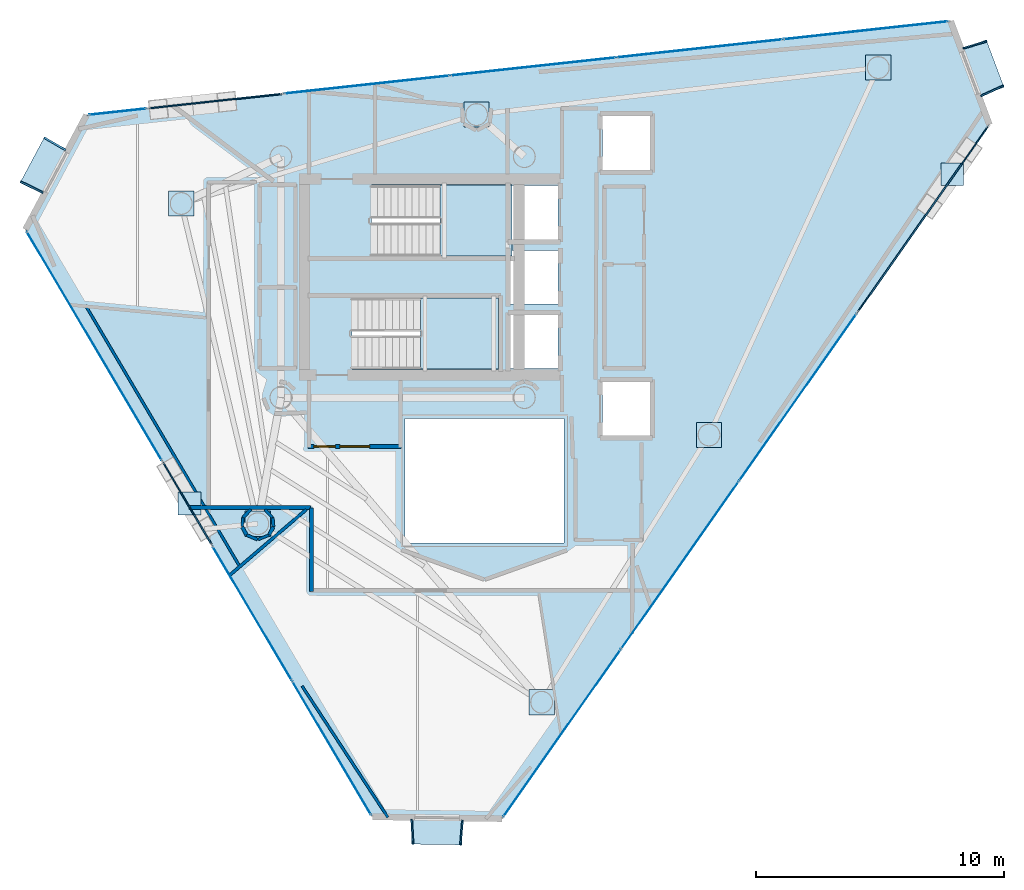
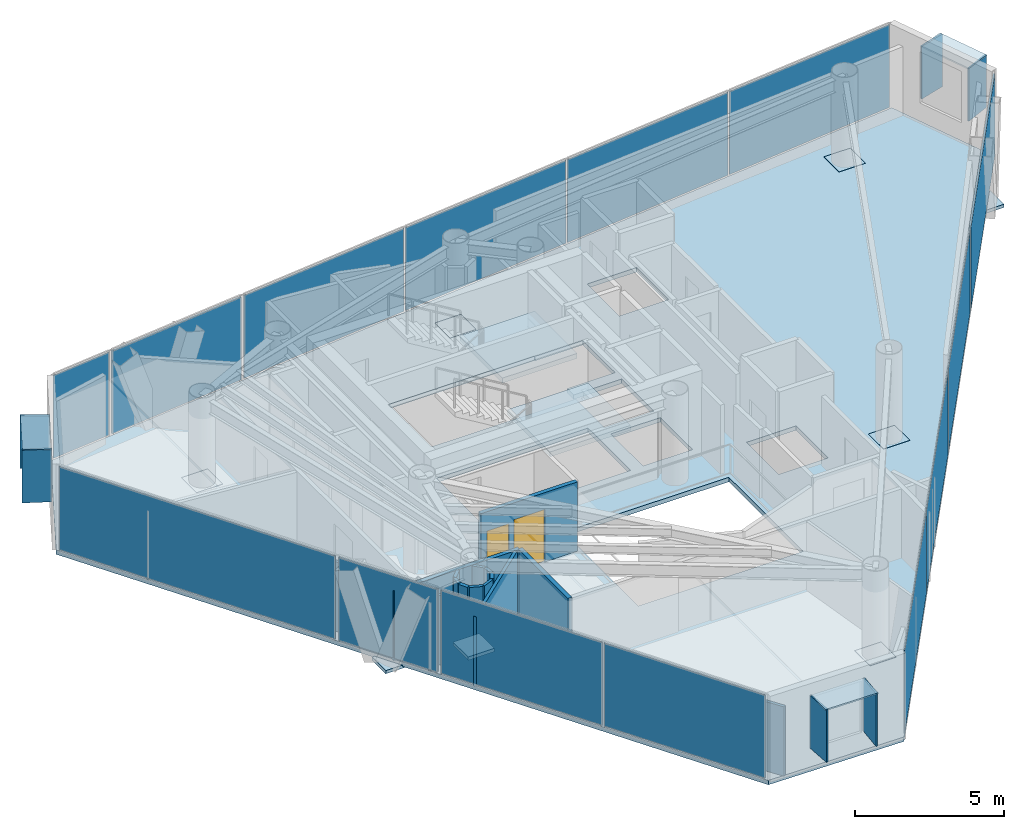
# One storey, part 14 of 19: 31 plates, 14 walls, 3 slabs, 2 doors, 2 openings, 10 elements without a shape of their own.
"""IFC4 building model written with IfcOpenShell, lengths in metres."""

from ifc_helpers import new_model, si_unit, direction, frame, frame_2d, origin, origin_2d, place, context, subcontext, project, spatial, polyline, rectangle, outline, extrude, material, layer, layer_set, type_object, element, fill, aggregate, save


model = new_model("IFC4")

# Units and contexts
model_context = context("Model", 3, precision=1e-05, world=origin(), true_north=direction((0.0, 1.0)))
body_context = subcontext(model_context, "Body", "Model", "MODEL_VIEW")
ifc_project = project(units=[si_unit("LENGTHUNIT", "METRE"), si_unit("AREAUNIT", "SQUARE_METRE"), si_unit("VOLUMEUNIT", "CUBIC_METRE"), si_unit("PLANEANGLEUNIT", "RADIAN"), si_unit("MASSUNIT", "GRAM", prefix="KILO")], contexts=[model_context])

# Site, building, storey
site_placement = place(None, origin())
site = spatial("IfcSite", under=ifc_project, at=site_placement, CompositionType="ELEMENT")
building_placement = place(site_placement, origin())
building = spatial("IfcBuilding", under=site, at=building_placement, Name="Qianvela Tower", CompositionType="ELEMENT")
storey_placement = place(building_placement, frame((0.0, 0.0, 280.60009765625)))
storey = spatial("IfcBuildingStorey", under=building, at=storey_placement, Name="L72", CompositionType="ELEMENT", Elevation=280.60009765625)

# Curtain wall, plate
ifc_material_1 = material(Name="Anodised Architectural Aluminium and Insulated Spandrel Panel", Category="aluminium")
ifc_layer_1 = layer(ifc_material_1, 0.179931640625)
ifc_layer_set_1 = layer_set([ifc_layer_1], Name="Anodised Architectural Aluminium and Insulated Spandrel Panel")
curtain_wall_type_1 = type_object("IfcCurtainWallType", Name="CW-BRACEBAY", PredefinedType="USERDEFINED", material=ifc_layer_set_1)
curtain_wall_1_placement = place(storey_placement, origin())
curtain_wall_1 = element("IfcCurtainWall", 1, at=curtain_wall_1_placement, inside=storey, type_object=curtain_wall_type_1, Name="L72 CW-BRACEBAY Curtain Wall 02B", ObjectType="CURTAIN_WALL_SYSTEM", PredefinedType="USERDEFINED")
ifc_material_2 = material(Name="Insulated Aluminium Spandrel Panel with Mineral-Wool Backpan", Category="aluminium")
ifc_layer_2 = layer(ifc_material_2, 0.06005859375)
ifc_layer_set_2 = layer_set([ifc_layer_2], Name="Insulated Aluminium Spandrel Panel with Mineral-Wool Backpan")
plate_type_1 = type_object("IfcPlateType", Name="CW-BRACEBAY-PNL", PredefinedType="CURTAIN_PANEL", material=ifc_layer_set_2)
plate_1_placement = place(storey_placement, frame((25.962646484375, 35.78564453125, 0.06494140625), z_axis=(0.0, 0.0, 1.0), x_axis=(-0.994137157561, -0.108126370314, 0.0)))
plate_1 = element("IfcPlate", 2, at=plate_1_placement, type_object=plate_type_1, Name="CW-9 panel 1.1", PredefinedType="CURTAIN_PANEL", context=body_context, shape_type="SweptSolid", body=[
    extrude(rectangle(XDim=5.3701171875, YDim=0.06005859375, at=origin_2d()), origin(), (0.0, 0.0, 1.0), 3.389892578125),
])
aggregate(curtain_wall_1, [plate_1])

curtain_wall_2_placement = place(storey_placement, origin())
curtain_wall_2 = element("IfcCurtainWall", 3, at=curtain_wall_2_placement, inside=storey, type_object=curtain_wall_type_1, Name="L72 CW-BRACEBAY Curtain Wall 04B", ObjectType="CURTAIN_WALL_SYSTEM", PredefinedType="USERDEFINED")
plate_2_placement = place(storey_placement, frame((24.832763671875, 19.58984375, 0.06494140625), z_axis=(0.0, 0.0, 1.0), x_axis=(0.5084554966, -0.861088269562, 0.0)))
plate_2 = element("IfcPlate", 4, at=plate_2_placement, type_object=plate_type_1, Name="CW-9 panel 1.1", PredefinedType="CURTAIN_PANEL", context=body_context, shape_type="SweptSolid", body=[
    extrude(rectangle(XDim=3.820068359375, YDim=0.06005859375, at=origin_2d()), origin(), (0.0, 0.0, 1.0), 3.389892578125),
])
aggregate(curtain_wall_2, [plate_2])

curtain_wall_3_placement = place(storey_placement, origin())
curtain_wall_3 = element("IfcCurtainWall", 5, at=curtain_wall_3_placement, inside=storey, type_object=curtain_wall_type_1, Name="L72 CW-BRACEBAY Curtain Wall 06B", ObjectType="CURTAIN_WALL_SYSTEM", PredefinedType="USERDEFINED")
plate_3_placement = place(storey_placement, frame((54.445068359375, 31.028076171875, 0.06494140625), z_axis=(0.0, 0.0, 1.0), x_axis=(0.574826220161, 0.81827551388, 0.0)))
plate_3 = element("IfcPlate", 6, at=plate_3_placement, type_object=plate_type_1, Name="CW-9 panel 1.1", PredefinedType="CURTAIN_PANEL", context=body_context, shape_type="SweptSolid", body=[
    extrude(rectangle(XDim=9.076416015625, YDim=0.06005859375, at=origin_2d()), origin(), (0.0, 0.0, 1.0), 3.389892578125),
])
aggregate(curtain_wall_3, [plate_3])

# Curtain wall, plates
ifc_material_3 = material(Name="Anodised Architectural Aluminium and Low-E Glass", Category="aluminium")
ifc_layer_3 = layer(ifc_material_3, 0.14990234375)
ifc_layer_set_3 = layer_set([ifc_layer_3], Name="Anodised Architectural Aluminium and Low-E Glass")
curtain_wall_type_2 = type_object("IfcCurtainWallType", Name="CW-COLIV-Z78", PredefinedType="USERDEFINED", material=ifc_layer_set_3)
curtain_wall_4_placement = place(storey_placement, origin())
curtain_wall_4 = element("IfcCurtainWall", 7, at=curtain_wall_4_placement, inside=storey, type_object=curtain_wall_type_2, Name="L72 CW-COLIV-Z78 Curtain Wall 02A", ObjectType="CURTAIN_WALL_SYSTEM", PredefinedType="USERDEFINED")
ifc_material_4 = material(Name="Double-Silver Low-E Insulated Glass", Category="glass")
ifc_layer_4 = layer(ifc_material_4, 0.02587890625)
ifc_layer_set_4 = layer_set([ifc_layer_4], Name="Double-Silver Low-E Insulated Glass")
plate_type_2 = type_object("IfcPlateType", Name="CW-COLIV-Z78-PNL", PredefinedType="CURTAIN_PANEL", material=ifc_layer_set_4)
plate_4_placement = place(storey_placement, frame((52.14208984375, 38.6328125, 0.06005859375), z_axis=(0.0, 0.0, 1.0), x_axis=(-0.994137836996, -0.108120123252, 0.0)))
plate_4 = element("IfcPlate", 8, at=plate_4_placement, type_object=plate_type_2, Name="CW-6 panel 1.1", PredefinedType="CURTAIN_PANEL", context=body_context, shape_type="SweptSolid", body=[
    extrude(rectangle(XDim=6.652587890625, YDim=0.02587890625, at=origin_2d()), origin(), (0.0, 0.0, 1.0), 3.39990234375),
])
plate_5_placement = place(storey_placement, frame((45.4541015625, 37.905517578125, 0.06005859375), z_axis=(0.0, 0.0, 1.0), x_axis=(-0.994137836996, -0.108120123252, 0.0)))
plate_5 = element("IfcPlate", 9, at=plate_5_placement, type_object=plate_type_2, Name="CW-6 panel 2.1", PredefinedType="CURTAIN_PANEL", context=body_context, shape_type="SweptSolid", body=[
    extrude(rectangle(XDim=6.6826171875, YDim=0.02587890625, at=origin_2d()), origin(), (0.0, 0.0, 1.0), 3.39990234375),
])
plate_6_placement = place(storey_placement, frame((38.7509765625, 37.176513671875, 0.06005859375), z_axis=(0.0, 0.0, 1.0), x_axis=(-0.994137836996, -0.108120123252, 0.0)))
plate_6 = element("IfcPlate", 10, at=plate_6_placement, type_object=plate_type_2, Name="CW-6 panel 3.1", PredefinedType="CURTAIN_PANEL", context=body_context, shape_type="SweptSolid", body=[
    extrude(rectangle(XDim=6.6826171875, YDim=0.02587890625, at=origin_2d()), origin(), (0.0, 0.0, 1.0), 3.39990234375),
])
plate_7_placement = place(storey_placement, frame((32.06298828125, 36.448974609375, 0.06005859375), z_axis=(0.0, 0.0, 1.0), x_axis=(-0.994137836996, -0.108120123252, 0.0)))
plate_7 = element("IfcPlate", 11, at=plate_7_placement, type_object=plate_type_2, Name="CW-6 panel 4.1", PredefinedType="CURTAIN_PANEL", context=body_context, shape_type="SweptSolid", body=[
    extrude(rectangle(XDim=6.652587890625, YDim=0.02587890625, at=origin_2d()), origin(), (0.0, 0.0, 1.0), 3.39990234375),
])
aggregate(curtain_wall_4, [plate_4, plate_5, plate_6, plate_7])

# Curtain wall, plate
curtain_wall_5_placement = place(storey_placement, origin())
curtain_wall_5 = element("IfcCurtainWall", 12, at=curtain_wall_5_placement, inside=storey, type_object=curtain_wall_type_2, Name="L72 CW-COLIV-Z78 Curtain Wall 02C", ObjectType="CURTAIN_WALL_SYSTEM", PredefinedType="USERDEFINED")
plate_8_placement = place(storey_placement, frame((22.027587890625, 35.357666015625, 0.06005859375), z_axis=(0.0, 0.0, 1.0), x_axis=(-0.994137890292, -0.108119633209, 0.0)))
plate_8 = element("IfcPlate", 13, at=plate_8_placement, type_object=plate_type_2, Name="CW-6 panel 1.1", PredefinedType="CURTAIN_PANEL", context=body_context, shape_type="SweptSolid", body=[
    extrude(rectangle(XDim=2.296875, YDim=0.02587890625, at=origin_2d()), origin(), (0.0, 0.0, 1.0), 3.39990234375),
])
aggregate(curtain_wall_5, [plate_8])

curtain_wall_6_placement = place(storey_placement, origin())
curtain_wall_6 = element("IfcCurtainWall", 14, at=curtain_wall_6_placement, inside=storey, type_object=curtain_wall_type_2, Name="L72 CW-COLIV-Z78 Curtain Wall 04A", ObjectType="CURTAIN_WALL_SYSTEM", PredefinedType="USERDEFINED")
plate_9_placement = place(storey_placement, frame((21.087890625, 25.931640625, 0.06005859375), z_axis=(0.0, 0.0, 1.0), x_axis=(0.508442381516, -0.861096013624, 0.0)))
plate_9 = element("IfcPlate", 15, at=plate_9_placement, type_object=plate_type_2, Name="CW-6 panel 1.1", PredefinedType="CURTAIN_PANEL", context=body_context, shape_type="SweptSolid", body=[
    extrude(rectangle(XDim=10.659912109375, YDim=0.02587890625, at=origin_2d()), origin(), (0.0, 0.0, 1.0), 3.39990234375),
])
aggregate(curtain_wall_6, [plate_9])

# Curtain wall, plates
curtain_wall_7_placement = place(storey_placement, origin())
curtain_wall_7 = element("IfcCurtainWall", 16, at=curtain_wall_7_placement, inside=storey, type_object=curtain_wall_type_2, Name="L72 CW-COLIV-Z78 Curtain Wall 04C", ObjectType="CURTAIN_WALL_SYSTEM", PredefinedType="USERDEFINED")
plate_10_placement = place(storey_placement, frame((27.44873046875, 15.1591796875, 0.06005859375), z_axis=(0.0, 0.0, 1.0), x_axis=(0.508440460829, -0.861097147709, 0.0)))
plate_10 = element("IfcPlate", 17, at=plate_10_placement, type_object=plate_type_2, Name="CW-6 panel 1.1", PredefinedType="CURTAIN_PANEL", context=body_context, shape_type="SweptSolid", body=[
    extrude(rectangle(XDim=6.220703125, YDim=0.02587890625, at=origin_2d()), origin(), (0.0, 0.0, 1.0), 3.39990234375),
])
plate_11_placement = place(storey_placement, frame((30.64208984375, 9.7509765625, 0.06005859375), z_axis=(0.0, 0.0, 1.0), x_axis=(0.508440460829, -0.861097147709, 0.0)))
plate_11 = element("IfcPlate", 18, at=plate_11_placement, type_object=plate_type_2, Name="CW-6 panel 2.1", PredefinedType="CURTAIN_PANEL", context=body_context, shape_type="SweptSolid", body=[
    extrude(rectangle(XDim=6.220703125, YDim=0.02587890625, at=origin_2d()), origin(), (0.0, 0.0, 1.0), 3.39990234375),
])
aggregate(curtain_wall_7, [plate_10, plate_11])

curtain_wall_8_placement = place(storey_placement, origin())
curtain_wall_8 = element("IfcCurtainWall", 19, at=curtain_wall_8_placement, inside=storey, type_object=curtain_wall_type_2, Name="L72 CW-COLIV-Z78 Curtain Wall 06A", ObjectType="CURTAIN_WALL_SYSTEM", PredefinedType="USERDEFINED")
plate_12_placement = place(storey_placement, frame((39.913818359375, 10.342041015625, 0.06005859375), z_axis=(0.0, 0.0, 1.0), x_axis=(0.574820324344, 0.818279655571, 0.0)))
plate_12 = element("IfcPlate", 20, at=plate_12_placement, type_object=plate_type_2, Name="CW-6 panel 1.1", PredefinedType="CURTAIN_PANEL", context=body_context, shape_type="SweptSolid", body=[
    extrude(rectangle(XDim=8.186767578125, YDim=0.02587890625, at=origin_2d()), origin(), (0.0, 0.0, 1.0), 3.39990234375),
])
plate_13_placement = place(storey_placement, frame((44.66259765625, 17.102294921875, 0.06005859375), z_axis=(0.0, 0.0, 1.0), x_axis=(0.574820324344, 0.818279655571, 0.0)))
plate_13 = element("IfcPlate", 21, at=plate_13_placement, type_object=plate_type_2, Name="CW-6 panel 2.1", PredefinedType="CURTAIN_PANEL", context=body_context, shape_type="SweptSolid", body=[
    extrude(rectangle(XDim=8.216552734375, YDim=0.02587890625, at=origin_2d()), origin(), (0.0, 0.0, 1.0), 3.39990234375),
])
plate_14_placement = place(storey_placement, frame((49.41162109375, 23.86279296875, 0.06005859375), z_axis=(0.0, 0.0, 1.0), x_axis=(0.574820324344, 0.818279655571, 0.0)))
plate_14 = element("IfcPlate", 22, at=plate_14_placement, type_object=plate_type_2, Name="CW-6 panel 3.1", PredefinedType="CURTAIN_PANEL", context=body_context, shape_type="SweptSolid", body=[
    extrude(rectangle(XDim=8.186767578125, YDim=0.02587890625, at=origin_2d()), origin(), (0.0, 0.0, 1.0), 3.39990234375),
])
aggregate(curtain_wall_8, [plate_12, plate_13, plate_14])

# Plates
ifc_material_5 = material(Name="Steel Q420GJC", Category="steel")
ifc_layer_5 = layer(ifc_material_5, 0.1298828125)
ifc_layer_set_5 = layer_set([ifc_layer_5], Name="Steel Q420GJC")
plate_type_3 = type_object("IfcPlateType", Name="PT-ENDCAP-130", PredefinedType="USERDEFINED", material=ifc_layer_set_5)
for number, where, z_axis, x_axis, name in (
    (23, (24.927001953125, 19.58740234375, -0.26171875), (0.0, 0.0, 1.0), (1.0, 0.0, 0.0), "L72 Hollow Section End Cap Plate A"),
    (24, (55.622802734375, 32.843505859375, -0.26171875), (0.0, 0.0, 1.0), (1.0, 0.0, 0.0), "L72 Hollow Section End Cap Plate A"),
):
    element("IfcPlate", number, at=place(storey_placement, frame(where, z_axis=z_axis, x_axis=x_axis)), inside=storey, type_object=plate_type_3, Name=name, ObjectType="END_CAP", PredefinedType="USERDEFINED", context=body_context, shape_type="SweptSolid", body=[
        extrude(rectangle(XDim=0.919921875, YDim=0.919921875, at=origin_2d()), origin(), (0.0, 0.0, 1.0), 0.1298828125),
    ])
ifc_material_6 = material(Name="Steel Q420GJC", Category="steel")
ifc_layer_6 = layer(ifc_material_6, 0.139892578125)
ifc_layer_set_6 = layer_set([ifc_layer_6], Name="Steel Q420GJC")
plate_type_4 = type_object("IfcPlateType", Name="PT-GUSSET-NODE-140", PredefinedType="USERDEFINED", material=ifc_layer_set_6)
for number, where, z_axis, x_axis, name in (
    (25, (52.64794921875, 37.135009765625, -0.13525390625), (0.0, 0.0, 1.0), (1.0, 0.0, 0.0), "L72 Node Gusset Plate BOT"),
    (26, (36.47607421875, 35.242919921875, -0.13525390625), (0.0, 0.0, 1.0), (1.0, 0.0, 0.0), "L72 Node Gusset Plate BOT"),
    (27, (24.5869140625, 31.6630859375, -0.13525390625), (0.0, 0.0, 1.0), (1.0, 0.0, 0.0), "L72 Node Gusset Plate BOT"),
    (28, (27.669921875, 18.77392578125, -0.13525390625), (0.0, 0.0, 1.0), (1.0, 0.0, 0.0), "L72 Node Gusset Plate BOT"),
    (29, (39.095947265625, 11.587890625, -0.13525390625), (0.0, 0.0, 1.0), (1.0, 0.0, 0.0), "L72 Node Gusset Plate BOT"),
    (30, (45.833984375, 22.344970703125, -0.13525390625), (0.0, 0.0, 1.0), (1.0, 0.0, 0.0), "L72 Node Gusset Plate BOT"),
):
    element("IfcPlate", number, at=place(storey_placement, frame(where, z_axis=z_axis, x_axis=x_axis)), inside=storey, type_object=plate_type_4, Name=name, ObjectType="GUSSET_PLATE", PredefinedType="USERDEFINED", context=body_context, shape_type="SweptSolid", body=[
        extrude(rectangle(XDim=1.02001953125, YDim=1.02001953125, at=origin_2d()), origin(), (0.0, 0.0, 1.0), 0.139892578125),
    ])

# Slab
ifc_material_7 = material(Name="Concrete C40", Category="concrete")
ifc_layer_7 = layer(ifc_material_7, 0.179931640625)
ifc_layer_set_7 = layer_set([ifc_layer_7], Name="Concrete C40")
slab_type_1 = type_object("IfcSlabType", Name="SL-FLOOR-180", PredefinedType="FLOOR", material=ifc_layer_set_7)
slab_1_placement = place(storey_placement, frame((0.0, 0.0, -0.18017578125)))
element("IfcSlab", 31, at=slab_1_placement, inside=storey, type_object=slab_type_1, Name="L72 Composite Structural Floor Slab", PredefinedType="FLOOR", context=body_context, shape_type="SweptSolid", body=[
    extrude(outline(polyline([(57.119873046875, 34.835693359375), (55.55810546875, 39.00439453125), (20.776611328125, 35.221435546875), (18.322021484375, 30.6162109375), (32.279541015625, 6.977783203125), (37.49755859375, 6.902587890625), (57.119873046875, 34.835693359375)]), holes=[polyline([(40.0, 23.0), (33.60009765625, 23.0), (33.60009765625, 18.0), (40.0, 18.0), (40.0, 23.0)]), polyline([(43.4599609375, 24.47998046875), (41.5400390625, 24.47998046875), (41.5400390625, 22.320068359375), (43.4599609375, 22.320068359375), (43.4599609375, 24.47998046875)]), polyline([(39.760009765625, 27.179931640625), (37.840087890625, 27.179931640625), (37.840087890625, 25.02001953125), (39.760009765625, 25.02001953125), (39.760009765625, 27.179931640625)]), polyline([(37.35009765625, 27.860107421875), (31.469970703125, 27.860107421875), (31.469970703125, 25.0), (37.35009765625, 25.0), (37.35009765625, 27.860107421875)]), polyline([(39.760009765625, 27.6201171875), (39.760009765625, 29.780029296875), (37.89990234375, 29.780029296875), (37.89990234375, 30.219970703125), (39.760009765625, 30.219970703125), (39.760009765625, 32.3798828125), (37.89990234375, 32.3798828125), (37.89990234375, 32.39990234375), (32.25, 32.39990234375), (32.25, 29.5400390625), (37.840087890625, 29.5400390625), (37.840087890625, 27.6201171875), (39.760009765625, 27.6201171875)]), polyline([(43.4599609375, 35.179931640625), (41.5400390625, 35.179931640625), (41.5400390625, 33.02001953125), (43.4599609375, 33.02001953125), (43.4599609375, 35.179931640625)])]), origin(), (0.0, 0.0, 1.0), 0.18017578125),
])

# Stair, slab
ifc_material_8 = material(Name="Concrete C40", Category="concrete")
stair_type = type_object("IfcStairType", Name="ST-DOGLEG-1350-R168-N22", PredefinedType="HALF_TURN_STAIR", material=ifc_material_8)
stair_1_placement = place(storey_placement, origin())
stair_1 = element("IfcStair", 32, at=stair_1_placement, inside=storey, type_object=stair_type, Name="L72 Smoke-Proof Core Stair ST-1", PredefinedType="HALF_TURN_STAIR")
ifc_material_9 = material(Name="Concrete C40", Category="concrete")
ifc_layer_8 = layer(ifc_material_9, 0.199951171875)
ifc_layer_set_8 = layer_set([ifc_layer_8], Name="Concrete C40")
slab_type_2 = type_object("IfcSlabType", Name="SL-STAIR-LANDING-200", PredefinedType="LANDING", material=ifc_layer_set_8)
slab_2_placement = place(storey_placement, frame((0.0, 0.0, 1.64990234375)))
slab_2 = element("IfcSlab", 33, at=slab_2_placement, type_object=slab_type_2, Name="ST-1 landing 1", PredefinedType="LANDING", context=body_context, shape_type="SweptSolid", body=[
    extrude(outline(polyline([(35.0, 29.5400390625), (37.89990234375, 29.5400390625), (37.89990234375, 32.39990234375), (35.0, 32.39990234375), (35.0, 29.5400390625)])), origin(), (0.0, 0.0, 1.0), 0.199951171875),
])
aggregate(stair_1, [slab_2])

stair_2_placement = place(storey_placement, origin())
stair_2 = element("IfcStair", 34, at=stair_2_placement, inside=storey, type_object=stair_type, Name="L72 Smoke-Proof Core Stair ST-2", PredefinedType="HALF_TURN_STAIR")
slab_3_placement = place(storey_placement, frame((0.0, 0.0, 1.64990234375)))
slab_3 = element("IfcSlab", 35, at=slab_3_placement, type_object=slab_type_2, Name="ST-2 landing 1", PredefinedType="LANDING", context=body_context, shape_type="SweptSolid", body=[
    extrude(outline(polyline([(34.219970703125, 25.0), (37.35009765625, 25.0), (37.35009765625, 27.860107421875), (34.219970703125, 27.860107421875), (34.219970703125, 25.0)])), origin(), (0.0, 0.0, 1.0), 0.199951171875),
])
aggregate(stair_2, [slab_3])

# Plates
ifc_material_10 = material(Name="Vitrified Architectural Terracotta Panel", Category="masonry")
ifc_layer_9 = layer(ifc_material_10, 0.06005859375)
ifc_layer_set_9 = layer_set([ifc_layer_9], Name="Vitrified Architectural Terracotta Panel")
plate_type_5 = type_object("IfcPlateType", Name="TERRACOTTA-SUNSHADE-HOOD-FOLD-A", PredefinedType="USERDEFINED", material=ifc_layer_set_9)
for number, where, z_axis, x_axis, name in (
    (36, (56.886962890625, 37.125244140625, 2.9599609375), (0.0, 0.0, 1.0), (-0.350815453513, 0.936444615328, 0.0), "L72 Terracotta Sunshade Hood FOLD-A"),
    (37, (34.880126953125, 6.355224609375, 2.9599609375), (0.0, 0.0, 1.0), (0.999895883841, -0.01442988144, 0.0), "L72 Terracotta Sunshade Hood FOLD-A"),
):
    element("IfcPlate", number, at=place(storey_placement, frame(where, z_axis=z_axis, x_axis=x_axis)), inside=storey, type_object=plate_type_5, Name=name, ObjectType="SUNSHADE", PredefinedType="USERDEFINED", context=body_context, shape_type="SweptSolid", body=[
        extrude(rectangle(XDim=2.0400390625, YDim=0.989990234375, at=origin_2d()), origin(), (0.0, 0.0, 1.0), 0.06005859375),
    ])
ifc_material_11 = material(Name="Vitrified Architectural Terracotta Panel", Category="masonry")
ifc_layer_10 = layer(ifc_material_11, 0.070068359375)
ifc_layer_set_10 = layer_set([ifc_layer_10], Name="Vitrified Architectural Terracotta Panel")
plate_type_6 = type_object("IfcPlateType", Name="TERRACOTTA-SUNSHADE-HOOD-FOLD-C", PredefinedType="USERDEFINED", material=ifc_layer_set_10)
plate_15_placement = place(storey_placement, frame((19.032958984375, 33.19384765625, 2.9599609375), z_axis=(0.0, 0.0, 1.0), x_axis=(-0.470317374951, -0.882497346636, 0.0)))
element("IfcPlate", 38, at=plate_15_placement, inside=storey, type_object=plate_type_6, Name="L72 Terracotta Sunshade Hood FOLD-C", ObjectType="SUNSHADE", PredefinedType="USERDEFINED", context=body_context, shape_type="SweptSolid", body=[
    extrude(rectangle(XDim=2.0400390625, YDim=0.989990234375, at=origin_2d()), origin(), (0.0, 0.0, 1.0), 0.06005859375),
])
ifc_material_12 = material(Name="Vitrified Architectural Terracotta Side Fin Panel", Category="masonry")
ifc_layer_11 = layer(ifc_material_12, 0.06494140625)
ifc_layer_set_11 = layer_set([ifc_layer_11], Name="Vitrified Architectural Terracotta Side Fin Panel")
plate_type_7 = type_object("IfcPlateType", Name="TERRACOTTA-SUNSHADE-STRUT-FOLD-A", PredefinedType="USERDEFINED", material=ifc_layer_set_11)
for number, where, z_axis, x_axis, name in (
    (39, (57.234130859375, 36.197998046875, 0.85009765625), (0.0, 0.0, 1.0), (-0.415283958922, 0.909691834338, 0.0), "L72 Terracotta Sunshade Side Fin HL FOLD-A"),
    (40, (56.53955078125, 38.05224609375, 0.85009765625), (0.0, 0.0, 1.0), (-0.284637810479, 0.958635132282, 0.0), "L72 Terracotta Sunshade Side Fin HR FOLD-A"),
    (41, (33.89013671875, 6.369384765625, 0.85009765625), (0.0, 0.0, 1.0), (0.998466765368, 0.055354479994, 0.0), "L72 Terracotta Sunshade Side Fin HL FOLD-A"),
    (42, (35.8701171875, 6.3408203125, 0.85009765625), (0.0, 0.0, 1.0), (0.996453610076, -0.084143941942, 0.0), "L72 Terracotta Sunshade Side Fin HR FOLD-A"),
):
    element("IfcPlate", number, at=place(storey_placement, frame(where, z_axis=z_axis, x_axis=x_axis)), inside=storey, type_object=plate_type_7, Name=name, ObjectType="SUNSHADE", PredefinedType="USERDEFINED", context=body_context, shape_type="SweptSolid", body=[
        extrude(rectangle(XDim=0.06494140625, YDim=1.010009765625, at=origin_2d()), origin(), (0.0, 0.0, 1.0), 2.159912109375),
    ])
ifc_material_13 = material(Name="Vitrified Architectural Terracotta Side Fin Panel", Category="masonry")
ifc_layer_12 = layer(ifc_material_13, 0.074951171875)
ifc_layer_set_12 = layer_set([ifc_layer_12], Name="Vitrified Architectural Terracotta Side Fin Panel")
plate_type_8 = type_object("IfcPlateType", Name="TERRACOTTA-SUNSHADE-STRUT-FOLD-C", PredefinedType="USERDEFINED", material=ifc_layer_set_12)
for number, where, z_axis, x_axis, name in (
    (43, (19.498779296875, 34.067626953125, 0.85009765625), (0.0, 0.0, 1.0), (-0.500829583552, -0.865545913421, 0.0), "L72 Terracotta Sunshade Side Fin HL FOLD-C"),
    (44, (18.5673828125, 32.3203125, 0.85009765625), (0.0, 0.0, 1.0), (-0.439232157074, -0.898373592773, 0.0), "L72 Terracotta Sunshade Side Fin HR FOLD-C"),
):
    element("IfcPlate", number, at=place(storey_placement, frame(where, z_axis=z_axis, x_axis=x_axis)), inside=storey, type_object=plate_type_8, Name=name, ObjectType="SUNSHADE", PredefinedType="USERDEFINED", context=body_context, shape_type="SweptSolid", body=[
        extrude(rectangle(XDim=0.074951171875, YDim=1.010009765625, at=origin_2d()), origin(), (0.0, 0.0, 1.0), 2.159912109375),
    ])

# Wall, openings, doors
ifc_material_14 = material(Name="Fire-Rated Gypsum and Concrete Block", Category="concrete")
ifc_layer_13 = layer(ifc_material_14, 0.159912109375)
ifc_layer_set_13 = layer_set([ifc_layer_13], Name="Fire-Rated Gypsum and Concrete Block")
wall_type_1 = type_object("IfcWallType", Name="WT-CORR-160", PredefinedType="PARTITIONING", material=ifc_layer_set_13)
wall_1_placement = place(storey_placement, frame((33.449951171875, 21.881103515625, 0.0), z_axis=(0.0, 0.0, 1.0), x_axis=(-1.0, 0.0, 0.0)))
wall_1 = element("IfcWall", 45, at=wall_1_placement, inside=storey, type_object=wall_type_1, Name="L72 Partition 5", PredefinedType="PARTITIONING", context=body_context, shape_type="SweptSolid", body=[
    extrude(rectangle(XDim=3.75, YDim=0.159912109375, at=frame_2d((1.875, 0.0))), origin(), (0.0, 0.0, 1.0), 2.83984375),
])
opening_1_placement = place(wall_1_placement, frame((1.27490234375, 0.0, 0.0)))
opening_1 = element("IfcOpeningElement", 46, at=opening_1_placement, cuts=wall_1, Name="Opening D-LB1", PredefinedType="OPENING", context=body_context, shape_type="SweptSolid", body=[
    extrude(rectangle(XDim=1.199951171875, YDim=2.14990234375, at=frame_2d((0.60009765625, 1.074951171875))), frame((0.0, 0.08984375, 0.0), z_axis=(0.0, -1.0, 0.0), x_axis=(1.0, 0.0, 0.0)), (0.0, 0.0, 1.0), 0.179931640625),
])
opening_2_placement = place(wall_1_placement, frame((2.659912109375, 0.0, 0.0)))
opening_2 = element("IfcOpeningElement", 47, at=opening_2_placement, cuts=wall_1, Name="Opening D-LB2", PredefinedType="OPENING", context=body_context, shape_type="SweptSolid", body=[
    extrude(rectangle(XDim=0.860107421875, YDim=2.050048828125, at=frame_2d((0.43017578125, 1.02490234375))), frame((0.0, 0.08984375, 0.0), z_axis=(0.0, -1.0, 0.0), x_axis=(1.0, 0.0, 0.0)), (0.0, 0.0, 1.0), 0.179931640625),
])
ifc_material_15 = material(Name="Glazed Fire-Rated Steel Frame", Category="steel")
door_type_1 = type_object("IfcDoorType", Name="DT-LOBBY-FD90", OperationType="NOTDEFINED", PredefinedType="DOOR", material=ifc_material_15)
door_1_placement = place(opening_1_placement, origin())
door_1 = element("IfcDoor", 48, at=door_1_placement, inside=storey, type_object=door_type_1, Name="L72 Door L72 Firefighting Lobby South to L72 Floor Corridor", OperationType="SINGLE_SWING_RIGHT", OverallHeight=2.14990234375, OverallWidth=1.199951171875, PredefinedType="DOOR", context=body_context, shape_type="SweptSolid", body=[
    extrude(rectangle(XDim=1.199951171875, YDim=2.14990234375, at=frame_2d((0.60009765625, 1.074951171875))), frame((0.0, 0.02490234375, 0.0), z_axis=(0.0, -1.0, 0.0), x_axis=(1.0, 0.0, 0.0)), (0.0, 0.0, 1.0), 0.050048828125),
])
fill(opening_1, door_1)
ifc_material_16 = material(Name="Insulated Steel Fire Door Q355B", Category="steel")
door_type_2 = type_object("IfcDoorType", Name="DT-LOBBY-FD90-860", OperationType="NOTDEFINED", PredefinedType="DOOR", material=ifc_material_16)
door_2_placement = place(opening_2_placement, origin())
door_2 = element("IfcDoor", 49, at=door_2_placement, inside=storey, type_object=door_type_2, Name="L72 Door L72 Firefighting Lobby South to L72 Floor Corridor", OperationType="SINGLE_SWING_RIGHT", OverallHeight=2.050048828125, OverallWidth=0.860107421875, PredefinedType="DOOR", context=body_context, shape_type="SweptSolid", body=[
    extrude(rectangle(XDim=0.860107421875, YDim=2.050048828125, at=frame_2d((0.43017578125, 1.02490234375))), frame((0.0, 0.02490234375, 0.0), z_axis=(0.0, -1.0, 0.0), x_axis=(1.0, 0.0, 0.0)), (0.0, 0.0, 1.0), 0.050048828125),
])
fill(opening_2, door_2)

# Walls
wall_2_placement = place(storey_placement, frame((29.8310546875, 16.050048828125, 0.0), z_axis=(0.0, 0.0, 1.0), x_axis=(0.0, 1.0, 0.0)))
element("IfcWall", 50, at=wall_2_placement, inside=storey, type_object=wall_type_1, Name="L72 Partition 71", PredefinedType="PARTITIONING", context=body_context, shape_type="SweptSolid", body=[
    extrude(rectangle(XDim=3.349853515625, YDim=0.159912109375, at=frame_2d((1.6748046875, 0.0))), origin(), (0.0, 0.0, 1.0), 2.83984375),
])
wall_3_placement = place(storey_placement, frame((29.800048828125, 19.430908203125, 0.0), z_axis=(0.0, 0.0, 1.0), x_axis=(-1.0, 0.0, 0.0)))
element("IfcWall", 51, at=wall_3_placement, inside=storey, type_object=wall_type_1, Name="L72 Partition 72", PredefinedType="PARTITIONING", context=body_context, shape_type="SweptSolid", body=[
    extrude(rectangle(XDim=4.8935546875, YDim=0.159912109375, at=frame_2d((2.44677734375, 0.0))), origin(), (0.0, 0.0, 1.0), 2.83984375),
])
ifc_material_17 = material(Name="Lightweight Gypsum Room Partition")
ifc_layer_14 = layer(ifc_material_17, 0.10498046875)
ifc_layer_set_14 = layer_set([ifc_layer_14], Name="Lightweight Gypsum Room Partition")
wall_type_2 = type_object("IfcWallType", Name="WT-PART-105", PredefinedType="PARTITIONING", material=ifc_layer_set_14)
wall_4_placement = place(storey_placement, frame((27.07568359375, 19.010498046875, 0.0), z_axis=(0.0, 0.0, 1.0), x_axis=(-0.097865889817, -0.995199611942, 0.0)))
element("IfcWall", 52, at=wall_4_placement, inside=storey, type_object=wall_type_2, Name="L72 Partition 79", PredefinedType="PARTITIONING", context=body_context, shape_type="SweptSolid", body=[
    extrude(rectangle(XDim=0.354248046875, YDim=0.10498046875, at=frame_2d((0.17724609375, 0.0))), origin(), (0.0, 0.0, 1.0), 2.83984375),
])
wall_5_placement = place(storey_placement, frame((27.681884765625, 18.135498046875, 0.0), z_axis=(0.0, 0.0, 1.0), x_axis=(0.924048683901, 0.382274809242, 0.0)))
element("IfcWall", 53, at=wall_5_placement, inside=storey, type_object=wall_type_2, Name="L72 Partition 82", PredefinedType="PARTITIONING", context=body_context, shape_type="SweptSolid", body=[
    extrude(rectangle(XDim=0.466796875, YDim=0.10498046875, at=frame_2d((0.2333984375, 0.0))), origin(), (0.0, 0.0, 1.0), 2.83984375),
])
wall_6_placement = place(storey_placement, frame((28.256103515625, 19.02880859375, 0.0), z_axis=(0.0, 0.0, 1.0), x_axis=(-0.689344198757, 0.724433969137, 0.0)))
element("IfcWall", 54, at=wall_6_placement, inside=storey, type_object=wall_type_2, Name="L72 Partition 85", PredefinedType="PARTITIONING", context=body_context, shape_type="SweptSolid", body=[
    extrude(rectangle(XDim=0.431396484375, YDim=0.10498046875, at=frame_2d((0.2158203125, 0.0))), origin(), (0.0, 0.0, 1.0), 2.83984375),
])
wall_7_placement = place(storey_placement, frame((26.963623046875, 17.01513671875, 0.0), z_axis=(0.0, 0.0, 1.0), x_axis=(-0.508423474714, 0.861107177046, 0.0)))
element("IfcWall", 55, at=wall_7_placement, inside=storey, type_object=wall_type_2, Name="L72 Partition 88", PredefinedType="PARTITIONING", context=body_context, shape_type="SweptSolid", body=[
    extrude(rectangle(XDim=12.26513671875, YDim=0.10498046875, at=frame_2d((6.132568359375, 0.0))), origin(), (0.0, 0.0, 1.0), 2.83984375),
])
wall_8_placement = place(storey_placement, frame((32.90576171875, 6.95166015625, 0.0), z_axis=(0.0, 0.0, 1.0), x_axis=(-0.546913900382, 0.837188858961, 0.0)))
element("IfcWall", 56, at=wall_8_placement, inside=storey, type_object=wall_type_2, Name="L72 Partition 97 seg 1", PredefinedType="PARTITIONING", context=body_context, shape_type="SweptSolid", body=[
    extrude(rectangle(XDim=6.314697265625, YDim=0.10498046875, at=frame_2d((3.1572265625, 0.0))), origin(), (0.0, 0.0, 1.0), 2.83984375),
])
ifc_material_18 = material(Name="Insulated Gypsum Stud Partition")
ifc_layer_15 = layer(ifc_material_18, 0.1201171875)
ifc_layer_set_15 = layer_set([ifc_layer_15], Name="Insulated Gypsum Stud Partition")
wall_type_3 = type_object("IfcWallType", Name="WT-PART-120", PredefinedType="PARTITIONING", material=ifc_layer_set_15)
wall_9_placement = place(storey_placement, frame((27.381103515625, 19.34130859375, 0.0), z_axis=(0.0, 0.0, 1.0), x_axis=(-0.689047004353, -0.724716652073, 0.0)))
element("IfcWall", 57, at=wall_9_placement, inside=storey, type_object=wall_type_3, Name="L72 Partition 78", PredefinedType="PARTITIONING", context=body_context, shape_type="SweptSolid", body=[
    extrude(rectangle(XDim=0.43115234375, YDim=0.1201171875, at=frame_2d((0.215576171875, 0.0))), origin(), (0.0, 0.0, 1.0), 2.83984375),
])
wall_10_placement = place(storey_placement, frame((27.226806640625, 18.31396484375, 0.0), z_axis=(0.0, 0.0, 1.0), x_axis=(0.924048683901, -0.382274809242, 0.0)))
element("IfcWall", 58, at=wall_10_placement, inside=storey, type_object=wall_type_3, Name="L72 Partition 81", PredefinedType="PARTITIONING", context=body_context, shape_type="SweptSolid", body=[
    extrude(rectangle(XDim=0.466796875, YDim=0.1201171875, at=frame_2d((0.2333984375, 0.0))), origin(), (0.0, 0.0, 1.0), 2.83984375),
])
wall_11_placement = place(storey_placement, frame((28.299072265625, 18.657958984375, 0.0), z_axis=(0.0, 0.0, 1.0), x_axis=(-0.097865889817, 0.995199611942, 0.0)))
element("IfcWall", 59, at=wall_11_placement, inside=storey, type_object=wall_type_3, Name="L72 Partition 84", PredefinedType="PARTITIONING", context=body_context, shape_type="SweptSolid", body=[
    extrude(rectangle(XDim=0.354248046875, YDim=0.1201171875, at=frame_2d((0.17724609375, 0.0))), origin(), (0.0, 0.0, 1.0), 2.83984375),
])
wall_12_placement = place(storey_placement, frame((29.623779296875, 19.343505859375, 0.0), z_axis=(0.0, 0.0, 1.0), x_axis=(-0.759205946939, -0.650850466799, 0.0)))
element("IfcWall", 60, at=wall_12_placement, inside=storey, type_object=wall_type_3, Name="L72 Partition 87", PredefinedType="PARTITIONING", context=body_context, shape_type="SweptSolid", body=[
    extrude(rectangle(XDim=4.082763671875, YDim=0.1201171875, at=frame_2d((2.04150390625, 0.0))), origin(), (0.0, 0.0, 1.0), 2.83984375),
])
ifc_material_19 = material(Name="Acoustic Double Gypsum Stud Partition")
ifc_layer_16 = layer(ifc_material_19, 0.139892578125)
ifc_layer_set_16 = layer_set([ifc_layer_16], Name="Acoustic Double Gypsum Stud Partition")
wall_type_4 = type_object("IfcWallType", Name="WT-ROOM-140", PredefinedType="PARTITIONING", material=ifc_layer_set_16)
for number, where, z_axis, x_axis, name in (
    (61, (27.04443359375, 18.640380859375, 0.0), (0.0, 0.0, 1.0), (0.471053526925, -0.882104628019, 0.0), "L72 Partition 80"),
    (62, (28.128662109375, 18.328125, 0.0), (0.0, 0.0, 1.0), (0.471589913721, 0.881817981942, 0.0), "L72 Partition 83"),
):
    element("IfcWall", number, at=place(storey_placement, frame(where, z_axis=z_axis, x_axis=x_axis)), inside=storey, type_object=wall_type_4, Name=name, PredefinedType="PARTITIONING", context=body_context, shape_type="SweptSolid", body=[
        extrude(rectangle(XDim=0.35400390625, YDim=0.139892578125, at=frame_2d((0.177001953125, 0.0))), origin(), (0.0, 0.0, 1.0), 2.83984375),
    ])

save(model, "model.ifc")
